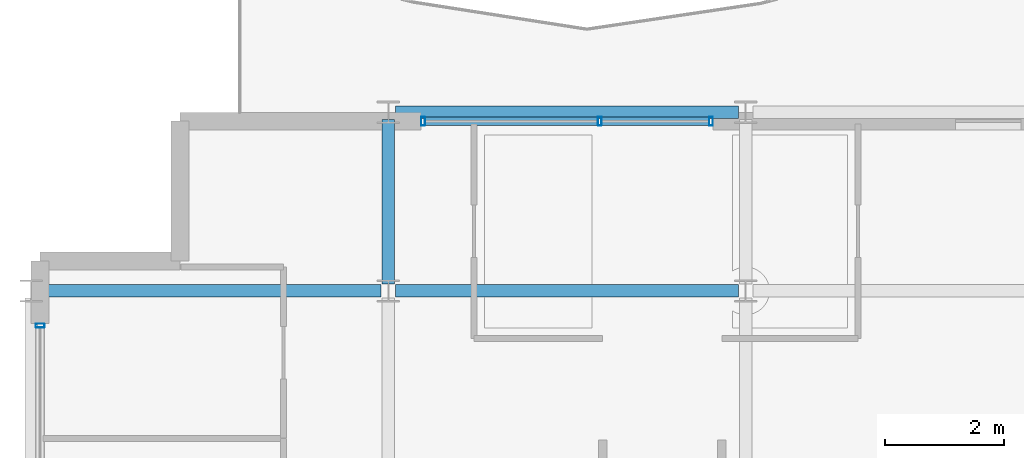
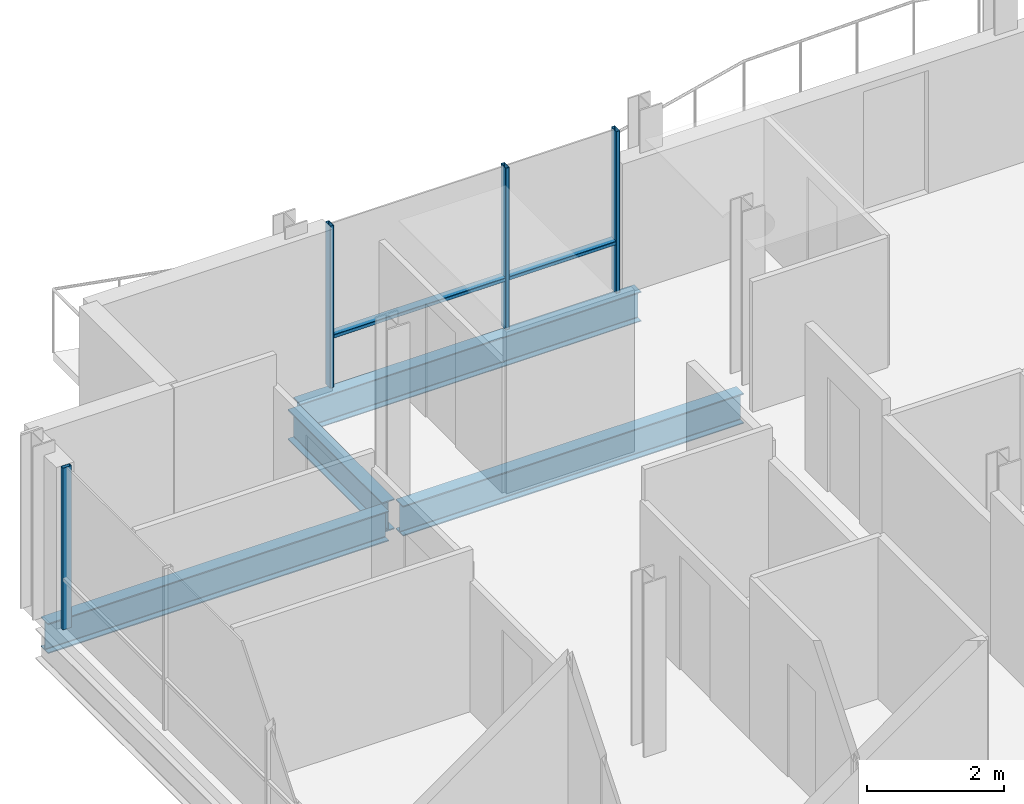
# One storey, part 8 of 29: 6 members, 4 beams, 2 elements without a shape of their own.
"""IFC4 building model written with IfcOpenShell, lengths in metres."""

import ifcopenshell
import ifcopenshell.guid

model = None  # the IFC model being written
_history = None  # IfcOwnerHistory: only IFC2X3 demands one
_inside = {}  # id of a spatial element -> (the spatial element, [elements in it])
_under = {}  # id of a project, library or spatial element -> (it, [spatial elements below it])
_declared = {}  # id of a project -> (the project, [libraries it declares])
_typed = {}  # id of a type object -> (the type object, [elements of that type])
_made_of = {}  # id of a material, layer set ... -> (it, [elements and type objects made of it])


def new_model(schema):
    """Start an empty IFC model of exactly this schema.

    Asked for "IFC4X3", IfcOpenShell would pick the latest addendum, in which some entities
    have other attributes; the version numbers below select the first issue.
    IFC2X3 requires an IfcOwnerHistory on every rooted entity: one is made here for all.
    """
    global model, _history
    if schema == "IFC4X3":
        model = ifcopenshell.file(schema_version=(4, 3, 0, 0))
    else:
        model = ifcopenshell.file(schema=schema)
    _inside.clear()
    _under.clear()
    _declared.clear()
    _typed.clear()
    _made_of.clear()
    _history = None
    if model.schema == "IFC2X3":
        org = make("IfcOrganization", Name="unknown")
        user = make(
            "IfcPersonAndOrganization",
            ThePerson=make("IfcPerson", FamilyName="unknown"),
            TheOrganization=org,
        )
        app = make(
            "IfcApplication",
            ApplicationDeveloper=org,
            Version="unknown",
            ApplicationFullName="unknown",
            ApplicationIdentifier="unknown",
        )
        _history = make(
            "IfcOwnerHistory",
            OwningUser=user,
            OwningApplication=app,
            ChangeAction="ADDED",
            CreationDate=0,
        )
    return model


def make(cls, **values):
    """One entity of the class cls with the attributes given. An attribute that is None is left unset."""
    return model.create_entity(
        cls, **{name: value for name, value in values.items() if value is not None}
    )


def rooted(cls, **values):
    """An entity with a GlobalId (a new one), such as an element, a storey or a relation."""
    return make(cls, GlobalId=ifcopenshell.guid.new(), OwnerHistory=_history, **values)


def si_unit(unit_type, name, prefix=None):
    """IfcSIUnit, for example si_unit("LENGTHUNIT", "METRE", prefix="MILLI")."""
    return make("IfcSIUnit", UnitType=unit_type, Prefix=prefix, Name=name)


def assignment(units):
    """IfcUnitAssignment: the units of a project."""
    return None if units is None else make("IfcUnitAssignment", Units=units)


def point(xyz):
    """IfcCartesianPoint."""
    return None if xyz is None else make("IfcCartesianPoint", Coordinates=xyz)


def direction(xyz):
    """IfcDirection."""
    return None if xyz is None else make("IfcDirection", DirectionRatios=xyz)


def frame(location, z_axis=None, x_axis=None):
    """IfcAxis2Placement3D, a coordinate frame: its origin and axes. An axis left out is left unset."""
    return make(
        "IfcAxis2Placement3D",
        Location=point(location),
        Axis=direction(z_axis),
        RefDirection=direction(x_axis),
    )


def frame_2d(location, x_axis=None):
    """IfcAxis2Placement2D, a coordinate frame in the plane: its origin and x axis."""
    return make(
        "IfcAxis2Placement2D", Location=point(location), RefDirection=direction(x_axis)
    )


def origin():
    """The frame at (0, 0, 0) with its axes left unset."""
    return frame((0.0, 0.0, 0.0))


def origin_2d():
    """The frame at (0, 0) in the plane with its x axis left unset."""
    return frame_2d((0.0, 0.0))


def place(relative_to, where):
    """IfcLocalPlacement: puts the frame where relative to a parent placement (None: the world)."""
    return make(
        "IfcLocalPlacement", PlacementRelTo=relative_to, RelativePlacement=where
    )


def context(
    kind, dimensions, precision=None, world=None, true_north=None, identifier=None
):
    """IfcGeometricRepresentationContext, for example the 3D "Model" context."""
    return make(
        "IfcGeometricRepresentationContext",
        ContextIdentifier=identifier,
        ContextType=kind,
        CoordinateSpaceDimension=dimensions,
        Precision=precision,
        WorldCoordinateSystem=world,
        TrueNorth=true_north,
    )


def subcontext(parent, identifier, kind, view, scale=None):
    """IfcGeometricRepresentationSubContext, for example "Body" below "Model"."""
    return make(
        "IfcGeometricRepresentationSubContext",
        ContextIdentifier=identifier,
        ContextType=kind,
        ParentContext=parent,
        TargetScale=scale,
        TargetView=view,
    )


def project(units=None, contexts=None):
    """IfcProject with its units and contexts."""
    return rooted(
        "IfcProject",
        Name="project",
        RepresentationContexts=contexts,
        UnitsInContext=assignment(units),
    )


def spatial(cls, under=None, at=None, **own):
    """A site, building, storey or space (cls), placed at a placement, below another one or the project."""
    s = rooted(cls, ObjectPlacement=at, **own)
    if under is not None:
        _under.setdefault(under.id(), (under, []))[1].append(s)
    return s


def profile(cls, at=None, kind="AREA", **sizes):
    """A parametric profile (cls). Its sizes go by their IFC names, for example OverallWidth=200.0."""
    return make(cls, ProfileType=kind, Position=at, **sizes)


def hollow_rectangle(**sizes):
    """IfcRectangleHollowProfileDef."""
    return profile("IfcRectangleHollowProfileDef", **sizes)


def i_section(**sizes):
    """IfcIShapeProfileDef."""
    return profile("IfcIShapeProfileDef", **sizes)


def extrude(swept, where, along, depth):
    """IfcExtrudedAreaSolid: the profile swept, set in the frame where, extruded along a direction by depth."""
    return make(
        "IfcExtrudedAreaSolid",
        SweptArea=swept,
        Position=where,
        ExtrudedDirection=direction(along),
        Depth=depth,
    )


def shape(context_of_items, identifier, shape_type, items):
    """IfcShapeRepresentation: the items that make up one representation, for example the "Body"."""
    return make(
        "IfcShapeRepresentation",
        ContextOfItems=context_of_items,
        RepresentationIdentifier=identifier,
        RepresentationType=shape_type,
        Items=items,
    )


def material(Name=None, Category=None):
    """IfcMaterial."""
    return make("IfcMaterial", Name=Name, Category=Category)


def layer(
    of_material, thickness, ventilated=None, Name=None, Category=None, Priority=None
):
    """IfcMaterialLayer: one layer of a wall or slab, of a material (None: an air gap)."""
    return make(
        "IfcMaterialLayer",
        Material=of_material,
        LayerThickness=thickness,
        IsVentilated=ventilated,
        Name=Name,
        Category=Category,
        Priority=Priority,
    )


def layer_set(layers, Name=None):
    """IfcMaterialLayerSet."""
    return make("IfcMaterialLayerSet", MaterialLayers=layers, LayerSetName=Name)


def material_profile(
    of_material, cross_section, Name=None, Category=None, Priority=None
):
    """IfcMaterialProfile: a cross section and its material."""
    return make(
        "IfcMaterialProfile",
        Name=Name,
        Material=of_material,
        Profile=cross_section,
        Priority=Priority,
        Category=Category,
    )


def profile_set(profiles, Name=None, composite=None):
    """IfcMaterialProfileSet."""
    return make(
        "IfcMaterialProfileSet",
        Name=Name,
        MaterialProfiles=profiles,
        CompositeProfile=composite,
    )


def made_of(thing, what):
    """Note that an element or type object is made of a material, layer set ...; save() writes the relation."""
    if what is not None:
        _made_of.setdefault(what.id(), (what, []))[1].append(thing)
    return thing


def type_object(cls, material=None, **own):
    """A type object (cls), such as IfcWallType, which elements share."""
    return made_of(rooted(cls, **own), material)


def element(
    cls,
    number,
    at=None,
    inside=None,
    cuts=None,
    type_object=None,
    material=None,
    context=None,
    identifier="Body",
    shape_type=None,
    held_by="IfcProductDefinitionShape",
    body=None,
    shapes=None,
    **own,
):
    """One element of the class cls, such as IfcWall. Its Tag is "e" and its number.

    at: its placement. inside: the storey or other place that contains it. cuts: it is an
    opening in that element (IfcRelVoidsElement). A single representation is given by context,
    identifier, shape_type and body (its items); several are given by shapes. held_by: the class
    of the entity that holds the representations. save() writes the other relations.
    """
    e = rooted(cls, Tag="e%d" % number, ObjectPlacement=at, **own)
    if body is not None:
        shapes = [shape(context, identifier, shape_type, body)]
    if shapes is not None:
        e.Representation = make(held_by, Representations=shapes)
    if inside is not None:
        _inside.setdefault(inside.id(), (inside, []))[1].append(e)
    if cuts is not None:
        rooted(
            "IfcRelVoidsElement", RelatingBuildingElement=cuts, RelatedOpeningElement=e
        )
    if type_object is not None:
        _typed.setdefault(type_object.id(), (type_object, []))[1].append(e)
    return made_of(e, material)


def aggregate(whole, parts):
    """IfcRelAggregates: a whole, such as a stair, and the parts it consists of."""
    return rooted("IfcRelAggregates", RelatingObject=whole, RelatedObjects=parts)


def save(model, path):
    """Write the relations noted so far, then the file.

    IfcRelAggregates (storeys below a building ...), IfcRelContainedInSpatialStructure (elements
    in a storey), IfcRelDefinesByType, IfcRelAssociatesMaterial and IfcRelDeclares: one each for
    every whole, place, type object, material and project.
    """
    for whole, parts in _under.values():
        aggregate(whole, parts)
    for where, things in _inside.values():
        rooted(
            "IfcRelContainedInSpatialStructure",
            RelatedElements=things,
            RelatingStructure=where,
        )
    for kind, things in _typed.values():
        rooted("IfcRelDefinesByType", RelatedObjects=things, RelatingType=kind)
    for what, things in _made_of.values():
        rooted("IfcRelAssociatesMaterial", RelatedObjects=things, RelatingMaterial=what)
    for by, libraries in _declared.values():
        rooted("IfcRelDeclares", RelatingContext=by, RelatedDefinitions=libraries)
    model.write(path)


model = new_model("IFC4")

# Units and contexts
model_context = context("Model", 3, precision=1e-05, world=origin(), true_north=direction((0.0, 1.0)))
body_context = subcontext(model_context, "Body", "Model", "MODEL_VIEW")
ifc_project = project(units=[si_unit("LENGTHUNIT", "METRE"), si_unit("AREAUNIT", "SQUARE_METRE"), si_unit("VOLUMEUNIT", "CUBIC_METRE"), si_unit("PLANEANGLEUNIT", "RADIAN"), si_unit("MASSUNIT", "GRAM", prefix="KILO")], contexts=[model_context])

# Site, building, storey
site_placement = place(None, origin())
site = spatial("IfcSite", under=ifc_project, at=site_placement, CompositionType="ELEMENT")
building_placement = place(site_placement, origin())
building = spatial("IfcBuilding", under=site, at=building_placement, Name="Brevholm Reach", CompositionType="ELEMENT")
storey_placement = place(building_placement, frame((0.0, 0.0, 208.0)))
storey = spatial("IfcBuildingStorey", under=building, at=storey_placement, Name="L63", CompositionType="ELEMENT", Elevation=208.0)

# Beams
ifc_material_1 = material(Name="Structural Steel S355J2", Category="steel")
ifc_material_profile_1 = material_profile(ifc_material_1, i_section(OverallWidth=0.209228515625, OverallDepth=0.533203125, WebThickness=0.010009765625, FlangeThickness=0.015625, FilletRadius=0.0126953125, at=origin_2d()), Name="UKB 533x210x92")
ifc_profile_set_1 = profile_set([ifc_material_profile_1], Name="Structural Steel S355J2")
beam_type_1 = type_object("IfcBeamType", Name="BM-SP533", PredefinedType="SPANDREL", material=ifc_profile_set_1)
beam_1_placement = place(storey_placement, frame((6.1201171875, 26.5, -0.4765625), z_axis=(1.0, 0.0, 0.0), x_axis=(0.0, 1.0, 0.0)))
element("IfcBeam", 1, at=beam_1_placement, inside=storey, type_object=beam_type_1, Name="L63 SP-02 Framing Beam", PredefinedType="SPANDREL", context=body_context, shape_type="SweptSolid", body=[
    extrude(i_section(OverallWidth=0.209228515625, OverallDepth=0.533203125, WebThickness=0.010009765625, FlangeThickness=0.015625, FilletRadius=0.0126953125, at=origin_2d()), origin(), (0.0, 0.0, 1.0), 5.759765625),
])
ifc_material_2 = material(Name="Structural Steel S355J2", Category="steel")
ifc_material_profile_2 = material_profile(ifc_material_2, i_section(OverallWidth=0.210693359375, OverallDepth=0.53955078125, WebThickness=0.01171875, FlangeThickness=0.018798828125, FilletRadius=0.0126953125, at=origin_2d()), Name="UKB 533x210x109")
ifc_profile_set_2 = profile_set([ifc_material_profile_2], Name="Structural Steel S355J2")
beam_type_2 = type_object("IfcBeamType", Name="BM-SP539", PredefinedType="SPANDREL", material=ifc_profile_set_2)
for number, where, z_axis, x_axis, name in (
    (2, (0.1201171875, 23.5, -0.479736328125), (1.0, 0.0, 0.0), (0.0, 1.0, 0.0), "L63 SP-01B Framing Beam"),
    (3, (6.1201171875, 23.5, -0.479736328125), (1.0, 0.0, 0.0), (0.0, 1.0, 0.0), "L63 SP-01B Framing Beam"),
):
    element("IfcBeam", number, at=place(storey_placement, frame(where, z_axis=z_axis, x_axis=x_axis)), inside=storey, type_object=beam_type_2, Name=name, PredefinedType="SPANDREL", context=body_context, shape_type="SweptSolid", body=[
        extrude(i_section(OverallWidth=0.210693359375, OverallDepth=0.53955078125, WebThickness=0.01171875, FlangeThickness=0.018798828125, FilletRadius=0.0126953125, at=origin_2d()), origin(), (0.0, 0.0, 1.0), 5.759765625),
    ])
beam_2_placement = place(storey_placement, frame((6.0, 23.6201171875, -0.479736328125), z_axis=(0.0, 1.0, 0.0), x_axis=(-1.0, 0.0, 0.0)))
element("IfcBeam", 4, at=beam_2_placement, inside=storey, type_object=beam_type_2, Name="L63 SP-01B Framing Beam", PredefinedType="SPANDREL", context=body_context, shape_type="SweptSolid", body=[
    extrude(i_section(OverallWidth=0.210693359375, OverallDepth=0.53955078125, WebThickness=0.01171875, FlangeThickness=0.018798828125, FilletRadius=0.0126953125, at=origin_2d()), origin(), (0.0, 0.0, 1.0), 2.759765625),
])

# Curtain wall, member
ifc_material_3 = material(Name="Dark Anodised Aluminium 6063-T6 and Solar-Control Glass", Category="aluminium")
ifc_layer = layer(ifc_material_3, 0.14990234375)
ifc_layer_set = layer_set([ifc_layer], Name="Dark Anodised Aluminium 6063-T6 and Solar-Control Glass")
curtain_wall_type = type_object("IfcCurtainWallType", Name="CW-01", PredefinedType="NOTDEFINED", material=ifc_layer_set)
curtain_wall_1_placement = place(storey_placement, origin())
curtain_wall_1 = element("IfcCurtainWall", 5, at=curtain_wall_1_placement, inside=storey, type_object=curtain_wall_type, Name="L63 Curtain Wall CW-01", PredefinedType="NOTDEFINED")
ifc_material_4 = material(Name="Dark Anodised Aluminium 6063-T6", Category="aluminium")
ifc_material_profile_3 = material_profile(ifc_material_4, hollow_rectangle(XDim=0.06494140625, YDim=0.14990234375, WallThickness=0.0048828125, InnerFilletRadius=0.0048828125, OuterFilletRadius=0.010009765625, at=origin_2d()), Name="RHS 150x65x5")
ifc_profile_set_3 = profile_set([ifc_material_profile_3], Name="Dark Anodised Aluminium 6063-T6")
member_type_1 = type_object("IfcMemberType", Name="CWM-150", PredefinedType="MULLION", material=ifc_profile_set_3)
member_1_placement = place(storey_placement, frame((0.14990234375, 22.91748046875, 0.0), z_axis=(0.0, 0.0, 1.0), x_axis=(0.0, -1.0, 0.0)))
member_1 = element("IfcMember", 6, at=member_1_placement, type_object=member_type_1, Name="CM-150 Mullion 1", PredefinedType="MULLION", context=body_context, shape_type="SweptSolid", body=[
    extrude(hollow_rectangle(XDim=0.06494140625, YDim=0.14990234375, WallThickness=0.0048828125, InnerFilletRadius=0.0048828125, OuterFilletRadius=0.010009765625, at=origin_2d()), origin(), (0.0, 0.0, 1.0), 2.889892578125),
])
aggregate(curtain_wall_1, [member_1])

# Curtain wall, members
curtain_wall_2_placement = place(storey_placement, origin())
curtain_wall_2 = element("IfcCurtainWall", 7, at=curtain_wall_2_placement, inside=storey, type_object=curtain_wall_type, Name="L63 Curtain Wall CW-01", PredefinedType="NOTDEFINED")
member_2_placement = place(storey_placement, frame((6.58251953125, 26.35009765625, 0.0), z_axis=(0.0, 0.0, 1.0), x_axis=(1.0, 0.0, 0.0)))
member_2 = element("IfcMember", 8, at=member_2_placement, type_object=member_type_1, Name="CM-150 Mullion 1", PredefinedType="MULLION", context=body_context, shape_type="SweptSolid", body=[
    extrude(hollow_rectangle(XDim=0.06494140625, YDim=0.14990234375, WallThickness=0.0048828125, InnerFilletRadius=0.0048828125, OuterFilletRadius=0.010009765625, at=origin_2d()), origin(), (0.0, 0.0, 1.0), 2.889892578125),
])
member_3_placement = place(storey_placement, frame((9.550048828125, 26.35009765625, 0.0), z_axis=(0.0, 0.0, 1.0), x_axis=(1.0, 0.0, 0.0)))
member_3 = element("IfcMember", 9, at=member_3_placement, type_object=member_type_1, Name="CM-150 Mullion 2", PredefinedType="MULLION", context=body_context, shape_type="SweptSolid", body=[
    extrude(hollow_rectangle(XDim=0.06494140625, YDim=0.14990234375, WallThickness=0.0048828125, InnerFilletRadius=0.0048828125, OuterFilletRadius=0.010009765625, at=origin_2d()), origin(), (0.0, 0.0, 1.0), 2.889892578125),
])
member_4_placement = place(storey_placement, frame((11.41748046875, 26.35009765625, 0.0), z_axis=(0.0, 0.0, 1.0), x_axis=(1.0, 0.0, 0.0)))
member_4 = element("IfcMember", 10, at=member_4_placement, type_object=member_type_1, Name="CM-150 Mullion 3", PredefinedType="MULLION", context=body_context, shape_type="SweptSolid", body=[
    extrude(hollow_rectangle(XDim=0.06494140625, YDim=0.14990234375, WallThickness=0.0048828125, InnerFilletRadius=0.0048828125, OuterFilletRadius=0.010009765625, at=origin_2d()), origin(), (0.0, 0.0, 1.0), 2.889892578125),
])
ifc_material_5 = material(Name="Dark Anodised Aluminium 6063-T6", Category="aluminium")
ifc_material_profile_4 = material_profile(ifc_material_5, hollow_rectangle(XDim=0.06494140625, YDim=0.14990234375, WallThickness=0.0048828125, InnerFilletRadius=0.0048828125, OuterFilletRadius=0.010009765625, at=origin_2d()), Name="RHS 150x65x5")
ifc_profile_set_4 = profile_set([ifc_material_profile_4], Name="Dark Anodised Aluminium 6063-T6")
member_type_2 = type_object("IfcMemberType", Name="CWT-150", PredefinedType="NOTDEFINED", material=ifc_profile_set_4)
member_5_placement = place(storey_placement, frame((6.614990234375, 26.35009765625, 0.89990234375), z_axis=(1.0, 0.0, 0.0), x_axis=(0.0, 0.0, 1.0)))
member_5 = element("IfcMember", 11, at=member_5_placement, type_object=member_type_2, Name="CT-150 Transom 1.1", ObjectType="TRANSOM", PredefinedType="USERDEFINED", context=body_context, shape_type="SweptSolid", body=[
    extrude(hollow_rectangle(XDim=0.06494140625, YDim=0.14990234375, WallThickness=0.0048828125, InnerFilletRadius=0.0048828125, OuterFilletRadius=0.010009765625, at=origin_2d()), origin(), (0.0, 0.0, 1.0), 2.902587890625),
])
member_6_placement = place(storey_placement, frame((9.58251953125, 26.35009765625, 0.89990234375), z_axis=(1.0, 0.0, 0.0), x_axis=(0.0, 0.0, 1.0)))
member_6 = element("IfcMember", 12, at=member_6_placement, type_object=member_type_2, Name="CT-150 Transom 2.1", ObjectType="TRANSOM", PredefinedType="USERDEFINED", context=body_context, shape_type="SweptSolid", body=[
    extrude(hollow_rectangle(XDim=0.06494140625, YDim=0.14990234375, WallThickness=0.0048828125, InnerFilletRadius=0.0048828125, OuterFilletRadius=0.010009765625, at=origin_2d()), origin(), (0.0, 0.0, 1.0), 1.802490234375),
])
aggregate(curtain_wall_2, [member_2, member_3, member_4, member_5, member_6])

save(model, "model.ifc")
